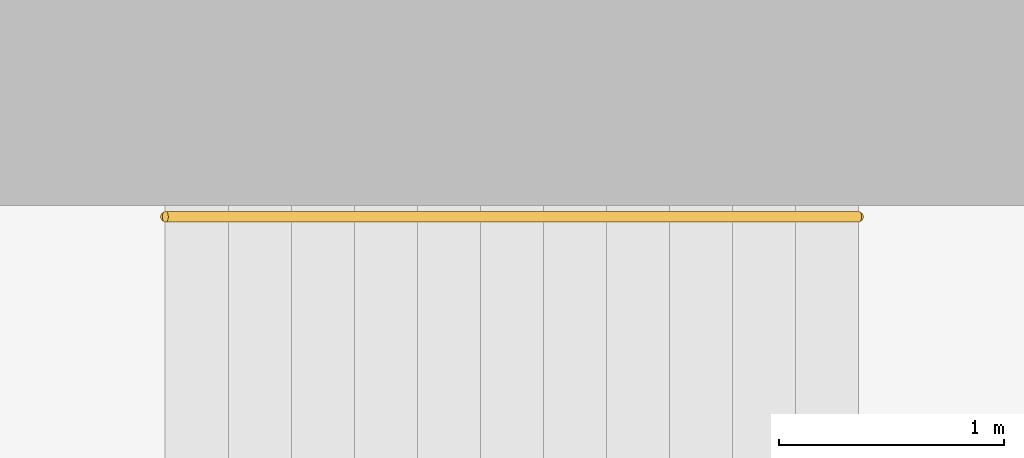
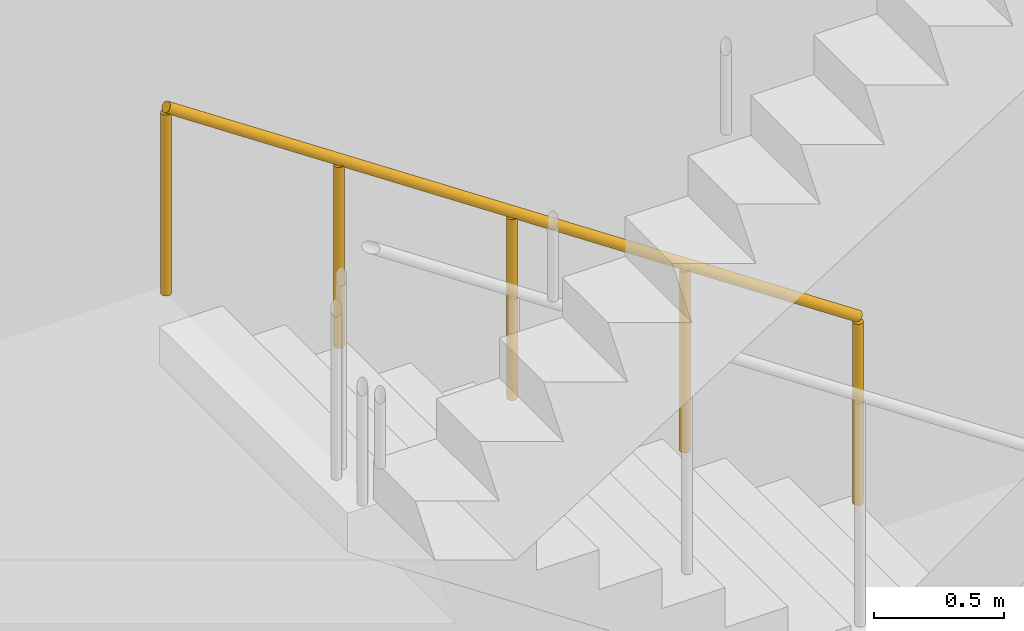
# One storey, part 12 of 13: 1 railing.
"""IFC4 building model written with IfcOpenShell, lengths in metres."""

from ifc_helpers import new_model, si_unit, direction, frame, origin, origin_2d, place, context, subcontext, project, spatial, circle, extrude, material, type_object, element, save


model = new_model("IFC4")

# Units and contexts
model_context = context("Model", 3, precision=1e-05, world=origin(), true_north=direction((0.0, 1.0)))
body_context = subcontext(model_context, "Body", "Model", "MODEL_VIEW")
ifc_project = project(units=[si_unit("LENGTHUNIT", "METRE"), si_unit("AREAUNIT", "SQUARE_METRE"), si_unit("VOLUMEUNIT", "CUBIC_METRE"), si_unit("PLANEANGLEUNIT", "RADIAN"), si_unit("MASSUNIT", "GRAM", prefix="KILO")], contexts=[model_context])

# Site, building, storey
site_placement = place(None, origin())
site = spatial("IfcSite", under=ifc_project, at=site_placement, CompositionType="ELEMENT")
building_placement = place(site_placement, origin())
building = spatial("IfcBuilding", under=site, at=building_placement, Name="Verdant Reach Tower", CompositionType="ELEMENT")
storey_placement = place(building_placement, origin())
storey = spatial("IfcBuildingStorey", under=building, at=storey_placement, Name="G", CompositionType="ELEMENT", Elevation=0.0)

# Railing
ifc_material = material(Name="Stainless steel", Category="steel")
railing_type = type_object("IfcRailingType", Name="CO-HANDRAIL", PredefinedType="HANDRAIL", material=ifc_material)
railing_placement = place(storey_placement, frame((11.14990234375, 37.550048828125, 4.6875)))
element("IfcRailing", 1, at=railing_placement, inside=storey, type_object=railing_type, Name="G ST-3 stair handrail 3", PredefinedType="HANDRAIL", context=body_context, shape_type="SweptSolid", body=[
    extrude(circle(Radius=0.02392578125, at=origin_2d()), frame((0.0, 0.0, 0.8759765625), z_axis=(-0.830893310487, 0.0, 0.556431762742), x_axis=(0.0, -1.0, 0.0)), (0.0, 0.0, 1.0), 3.70654296875),
    extrude(circle(Radius=0.02099609375, at=origin_2d()), origin(), (0.0, 0.0, 1.0), 0.851806640625),
    extrude(circle(Radius=0.02099609375, at=origin_2d()), frame((-0.77001953125, 0.0, 0.515625)), (0.0, 0.0, 1.0), 0.851806640625),
    extrude(circle(Radius=0.02099609375, at=origin_2d()), frame((-1.5400390625, 0.0, 1.03125)), (0.0, 0.0, 1.0), 0.851806640625),
    extrude(circle(Radius=0.02099609375, at=origin_2d()), frame((-2.309814453125, 0.0, 1.546875)), (0.0, 0.0, 1.0), 0.851806640625),
    extrude(circle(Radius=0.02099609375, at=origin_2d()), frame((-3.079833984375, 0.0, 2.0625)), (0.0, 0.0, 1.0), 0.851806640625),
])

save(model, "model.ifc")
